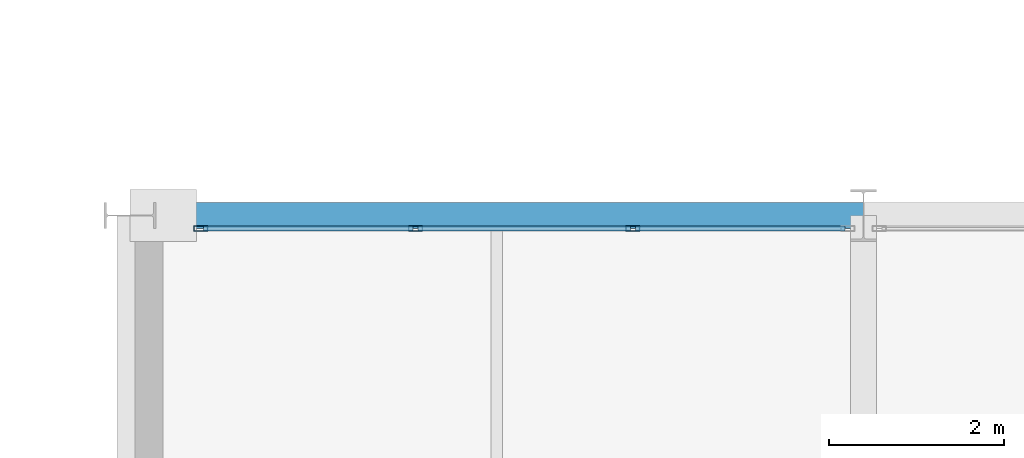
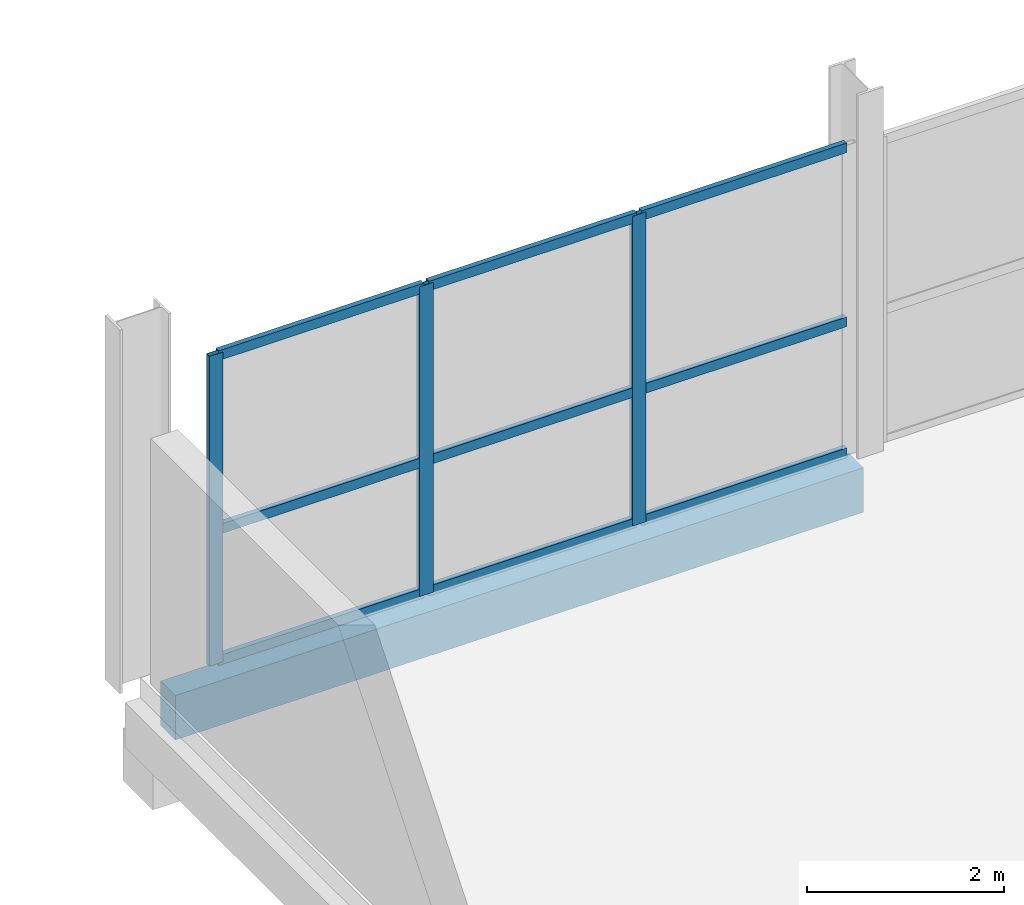
# One storey, part 43 of 109: 12 members, 1 beam, 1 element without a shape of its own.
"""IFC4 building model written with IfcOpenShell, lengths in metres."""

import ifcopenshell
import ifcopenshell.guid

model = None  # the IFC model being written
_history = None  # IfcOwnerHistory: only IFC2X3 demands one
_inside = {}  # id of a spatial element -> (the spatial element, [elements in it])
_under = {}  # id of a project, library or spatial element -> (it, [spatial elements below it])
_declared = {}  # id of a project -> (the project, [libraries it declares])
_typed = {}  # id of a type object -> (the type object, [elements of that type])
_made_of = {}  # id of a material, layer set ... -> (it, [elements and type objects made of it])


def new_model(schema):
    """Start an empty IFC model of exactly this schema.

    Asked for "IFC4X3", IfcOpenShell would pick the latest addendum, in which some entities
    have other attributes; the version numbers below select the first issue.
    IFC2X3 requires an IfcOwnerHistory on every rooted entity: one is made here for all.
    """
    global model, _history
    if schema == "IFC4X3":
        model = ifcopenshell.file(schema_version=(4, 3, 0, 0))
    else:
        model = ifcopenshell.file(schema=schema)
    _inside.clear()
    _under.clear()
    _declared.clear()
    _typed.clear()
    _made_of.clear()
    _history = None
    if model.schema == "IFC2X3":
        org = make("IfcOrganization", Name="unknown")
        user = make(
            "IfcPersonAndOrganization",
            ThePerson=make("IfcPerson", FamilyName="unknown"),
            TheOrganization=org,
        )
        app = make(
            "IfcApplication",
            ApplicationDeveloper=org,
            Version="unknown",
            ApplicationFullName="unknown",
            ApplicationIdentifier="unknown",
        )
        _history = make(
            "IfcOwnerHistory",
            OwningUser=user,
            OwningApplication=app,
            ChangeAction="ADDED",
            CreationDate=0,
        )
    return model


def make(cls, **values):
    """One entity of the class cls with the attributes given. An attribute that is None is left unset."""
    return model.create_entity(
        cls, **{name: value for name, value in values.items() if value is not None}
    )


def rooted(cls, **values):
    """An entity with a GlobalId (a new one), such as an element, a storey or a relation."""
    return make(cls, GlobalId=ifcopenshell.guid.new(), OwnerHistory=_history, **values)


def si_unit(unit_type, name, prefix=None):
    """IfcSIUnit, for example si_unit("LENGTHUNIT", "METRE", prefix="MILLI")."""
    return make("IfcSIUnit", UnitType=unit_type, Prefix=prefix, Name=name)


def assignment(units):
    """IfcUnitAssignment: the units of a project."""
    return None if units is None else make("IfcUnitAssignment", Units=units)


def point(xyz):
    """IfcCartesianPoint."""
    return None if xyz is None else make("IfcCartesianPoint", Coordinates=xyz)


def direction(xyz):
    """IfcDirection."""
    return None if xyz is None else make("IfcDirection", DirectionRatios=xyz)


def frame(location, z_axis=None, x_axis=None):
    """IfcAxis2Placement3D, a coordinate frame: its origin and axes. An axis left out is left unset."""
    return make(
        "IfcAxis2Placement3D",
        Location=point(location),
        Axis=direction(z_axis),
        RefDirection=direction(x_axis),
    )


def frame_2d(location, x_axis=None):
    """IfcAxis2Placement2D, a coordinate frame in the plane: its origin and x axis."""
    return make(
        "IfcAxis2Placement2D", Location=point(location), RefDirection=direction(x_axis)
    )


def origin():
    """The frame at (0, 0, 0) with its axes left unset."""
    return frame((0.0, 0.0, 0.0))


def origin_2d():
    """The frame at (0, 0) in the plane with its x axis left unset."""
    return frame_2d((0.0, 0.0))


def place(relative_to, where):
    """IfcLocalPlacement: puts the frame where relative to a parent placement (None: the world)."""
    return make(
        "IfcLocalPlacement", PlacementRelTo=relative_to, RelativePlacement=where
    )


def context(
    kind, dimensions, precision=None, world=None, true_north=None, identifier=None
):
    """IfcGeometricRepresentationContext, for example the 3D "Model" context."""
    return make(
        "IfcGeometricRepresentationContext",
        ContextIdentifier=identifier,
        ContextType=kind,
        CoordinateSpaceDimension=dimensions,
        Precision=precision,
        WorldCoordinateSystem=world,
        TrueNorth=true_north,
    )


def subcontext(parent, identifier, kind, view, scale=None):
    """IfcGeometricRepresentationSubContext, for example "Body" below "Model"."""
    return make(
        "IfcGeometricRepresentationSubContext",
        ContextIdentifier=identifier,
        ContextType=kind,
        ParentContext=parent,
        TargetScale=scale,
        TargetView=view,
    )


def project(units=None, contexts=None):
    """IfcProject with its units and contexts."""
    return rooted(
        "IfcProject",
        Name="project",
        RepresentationContexts=contexts,
        UnitsInContext=assignment(units),
    )


def spatial(cls, under=None, at=None, **own):
    """A site, building, storey or space (cls), placed at a placement, below another one or the project."""
    s = rooted(cls, ObjectPlacement=at, **own)
    if under is not None:
        _under.setdefault(under.id(), (under, []))[1].append(s)
    return s


def profile(cls, at=None, kind="AREA", **sizes):
    """A parametric profile (cls). Its sizes go by their IFC names, for example OverallWidth=200.0."""
    return make(cls, ProfileType=kind, Position=at, **sizes)


def rectangle(**sizes):
    """IfcRectangleProfileDef."""
    return profile("IfcRectangleProfileDef", **sizes)


def hollow_rectangle(**sizes):
    """IfcRectangleHollowProfileDef."""
    return profile("IfcRectangleHollowProfileDef", **sizes)


def extrude(swept, where, along, depth):
    """IfcExtrudedAreaSolid: the profile swept, set in the frame where, extruded along a direction by depth."""
    return make(
        "IfcExtrudedAreaSolid",
        SweptArea=swept,
        Position=where,
        ExtrudedDirection=direction(along),
        Depth=depth,
    )


def shape(context_of_items, identifier, shape_type, items):
    """IfcShapeRepresentation: the items that make up one representation, for example the "Body"."""
    return make(
        "IfcShapeRepresentation",
        ContextOfItems=context_of_items,
        RepresentationIdentifier=identifier,
        RepresentationType=shape_type,
        Items=items,
    )


def material(Name=None, Category=None):
    """IfcMaterial."""
    return make("IfcMaterial", Name=Name, Category=Category)


def material_profile(
    of_material, cross_section, Name=None, Category=None, Priority=None
):
    """IfcMaterialProfile: a cross section and its material."""
    return make(
        "IfcMaterialProfile",
        Name=Name,
        Material=of_material,
        Profile=cross_section,
        Priority=Priority,
        Category=Category,
    )


def profile_set(profiles, Name=None, composite=None):
    """IfcMaterialProfileSet."""
    return make(
        "IfcMaterialProfileSet",
        Name=Name,
        MaterialProfiles=profiles,
        CompositeProfile=composite,
    )


def made_of(thing, what):
    """Note that an element or type object is made of a material, layer set ...; save() writes the relation."""
    if what is not None:
        _made_of.setdefault(what.id(), (what, []))[1].append(thing)
    return thing


def type_object(cls, material=None, **own):
    """A type object (cls), such as IfcWallType, which elements share."""
    return made_of(rooted(cls, **own), material)


def element(
    cls,
    number,
    at=None,
    inside=None,
    cuts=None,
    type_object=None,
    material=None,
    context=None,
    identifier="Body",
    shape_type=None,
    held_by="IfcProductDefinitionShape",
    body=None,
    shapes=None,
    **own,
):
    """One element of the class cls, such as IfcWall. Its Tag is "e" and its number.

    at: its placement. inside: the storey or other place that contains it. cuts: it is an
    opening in that element (IfcRelVoidsElement). A single representation is given by context,
    identifier, shape_type and body (its items); several are given by shapes. held_by: the class
    of the entity that holds the representations. save() writes the other relations.
    """
    e = rooted(cls, Tag="e%d" % number, ObjectPlacement=at, **own)
    if body is not None:
        shapes = [shape(context, identifier, shape_type, body)]
    if shapes is not None:
        e.Representation = make(held_by, Representations=shapes)
    if inside is not None:
        _inside.setdefault(inside.id(), (inside, []))[1].append(e)
    if cuts is not None:
        rooted(
            "IfcRelVoidsElement", RelatingBuildingElement=cuts, RelatedOpeningElement=e
        )
    if type_object is not None:
        _typed.setdefault(type_object.id(), (type_object, []))[1].append(e)
    return made_of(e, material)


def aggregate(whole, parts):
    """IfcRelAggregates: a whole, such as a stair, and the parts it consists of."""
    return rooted("IfcRelAggregates", RelatingObject=whole, RelatedObjects=parts)


def save(model, path):
    """Write the relations noted so far, then the file.

    IfcRelAggregates (storeys below a building ...), IfcRelContainedInSpatialStructure (elements
    in a storey), IfcRelDefinesByType, IfcRelAssociatesMaterial and IfcRelDeclares: one each for
    every whole, place, type object, material and project.
    """
    for whole, parts in _under.values():
        aggregate(whole, parts)
    for where, things in _inside.values():
        rooted(
            "IfcRelContainedInSpatialStructure",
            RelatedElements=things,
            RelatingStructure=where,
        )
    for kind, things in _typed.values():
        rooted("IfcRelDefinesByType", RelatedObjects=things, RelatingType=kind)
    for what, things in _made_of.values():
        rooted("IfcRelAssociatesMaterial", RelatedObjects=things, RelatingMaterial=what)
    for by, libraries in _declared.values():
        rooted("IfcRelDeclares", RelatingContext=by, RelatedDefinitions=libraries)
    model.write(path)


model = new_model("IFC4")

# Units and contexts
model_context = context("Model", 3, precision=1e-05, world=origin(), true_north=direction((0.0, 1.0)))
body_context = subcontext(model_context, "Body", "Model", "MODEL_VIEW")
ifc_project = project(units=[si_unit("LENGTHUNIT", "METRE"), si_unit("AREAUNIT", "SQUARE_METRE"), si_unit("VOLUMEUNIT", "CUBIC_METRE"), si_unit("PLANEANGLEUNIT", "RADIAN"), si_unit("MASSUNIT", "GRAM", prefix="KILO")], contexts=[model_context])

# Site, building, storey
site_placement = place(None, origin())
site = spatial("IfcSite", under=ifc_project, at=site_placement, CompositionType="ELEMENT")
building_placement = place(site_placement, origin())
building = spatial("IfcBuilding", under=site, at=building_placement, Name="Veltarok Museum of Natural Sciences", CompositionType="ELEMENT")
storey_placement = place(building_placement, frame((0.0, 0.0, 17.39990234375)))
storey = spatial("IfcBuildingStorey", under=building, at=storey_placement, Name="L03", CompositionType="ELEMENT", Elevation=17.39990234375)

# Curtain wall, members
ifc_material_1 = material(Name="Low-iron triple insulated glass", Category="glass")
curtain_wall_type = type_object("IfcCurtainWallType", Name="Curtain Wall System CW-V5CN-L03-1-747x383 (CW-V5CN L03 747x383cm)", PredefinedType="NOTDEFINED", material=ifc_material_1)
curtain_wall_placement = place(storey_placement, origin())
curtain_wall = element("IfcCurtainWall", 1, at=curtain_wall_placement, inside=storey, type_object=curtain_wall_type, Name="Curtain Wall CW-V5CN-L03-1-747x383 CW-0193", PredefinedType="NOTDEFINED")
ifc_material_2 = material(Name="Thermally broken anodised aluminium", Category="aluminium")
ifc_material_profile_1 = material_profile(ifc_material_2, hollow_rectangle(XDim=0.06005859375, YDim=0.1201171875, WallThickness=0.0048828125, at=origin_2d()), Name="CW TRANSOM 60x120x5")
ifc_profile_set_1 = profile_set([ifc_material_profile_1], Name="Thermally broken anodised aluminium")
member_type_1 = type_object("IfcMemberType", Name="Curtain Wall Horizontal Transom 60x120x5", PredefinedType="USERDEFINED", material=ifc_profile_set_1)
member_1_placement = place(storey_placement, frame((115.389892578125, 26.25, 0.028076171875), z_axis=(-1.0, 0.0, 0.0), x_axis=(0.0, -1.0, 0.0)))
member_1 = element("IfcMember", 2, at=member_1_placement, type_object=member_type_1, Name="CW-V5CN-L03-1-747x383 transom 1.1", ObjectType="TRANSOM", PredefinedType="USERDEFINED", context=body_context, shape_type="SweptSolid", body=[
    extrude(hollow_rectangle(XDim=0.06005859375, YDim=0.1201171875, WallThickness=0.0048828125, at=origin_2d()), origin(), (0.0, 0.0, 1.0), 2.39990234375),
])
member_2_placement = place(storey_placement, frame((115.389892578125, 26.25, 1.648193359375), z_axis=(-1.0, 0.0, 0.0), x_axis=(0.0, -1.0, 0.0)))
member_2 = element("IfcMember", 3, at=member_2_placement, type_object=member_type_1, Name="CW-V5CN-L03-1-747x383 transom 1.2", ObjectType="TRANSOM", PredefinedType="USERDEFINED", context=body_context, shape_type="SweptSolid", body=[
    extrude(hollow_rectangle(XDim=0.06005859375, YDim=0.1201171875, WallThickness=0.0048828125, at=origin_2d()), origin(), (0.0, 0.0, 1.0), 2.39990234375),
])
member_3_placement = place(storey_placement, frame((115.389892578125, 26.25, 3.800048828125), z_axis=(-1.0, 0.0, 0.0), x_axis=(0.0, -1.0, 0.0)))
member_3 = element("IfcMember", 4, at=member_3_placement, type_object=member_type_1, Name="CW-V5CN-L03-1-747x383 transom 1.3", ObjectType="TRANSOM", PredefinedType="USERDEFINED", context=body_context, shape_type="SweptSolid", body=[
    extrude(hollow_rectangle(XDim=0.06005859375, YDim=0.1201171875, WallThickness=0.0048828125, at=origin_2d()), origin(), (0.0, 0.0, 1.0), 2.39990234375),
])
member_4_placement = place(storey_placement, frame((112.929931640625, 26.25, 0.028076171875), z_axis=(-1.0, 0.0, 0.0), x_axis=(0.0, -1.0, 0.0)))
member_4 = element("IfcMember", 5, at=member_4_placement, type_object=member_type_1, Name="CW-V5CN-L03-1-747x383 transom 2.1", ObjectType="TRANSOM", PredefinedType="USERDEFINED", context=body_context, shape_type="SweptSolid", body=[
    extrude(hollow_rectangle(XDim=0.06005859375, YDim=0.1201171875, WallThickness=0.0048828125, at=origin_2d()), origin(), (0.0, 0.0, 1.0), 2.429931640625),
])
member_5_placement = place(storey_placement, frame((112.929931640625, 26.25, 1.648193359375), z_axis=(-1.0, 0.0, 0.0), x_axis=(0.0, -1.0, 0.0)))
member_5 = element("IfcMember", 6, at=member_5_placement, type_object=member_type_1, Name="CW-V5CN-L03-1-747x383 transom 2.2", ObjectType="TRANSOM", PredefinedType="USERDEFINED", context=body_context, shape_type="SweptSolid", body=[
    extrude(hollow_rectangle(XDim=0.06005859375, YDim=0.1201171875, WallThickness=0.0048828125, at=origin_2d()), origin(), (0.0, 0.0, 1.0), 2.429931640625),
])
member_6_placement = place(storey_placement, frame((112.929931640625, 26.25, 3.800048828125), z_axis=(-1.0, 0.0, 0.0), x_axis=(0.0, -1.0, 0.0)))
member_6 = element("IfcMember", 7, at=member_6_placement, type_object=member_type_1, Name="CW-V5CN-L03-1-747x383 transom 2.3", ObjectType="TRANSOM", PredefinedType="USERDEFINED", context=body_context, shape_type="SweptSolid", body=[
    extrude(hollow_rectangle(XDim=0.06005859375, YDim=0.1201171875, WallThickness=0.0048828125, at=origin_2d()), origin(), (0.0, 0.0, 1.0), 2.429931640625),
])
member_7_placement = place(storey_placement, frame((110.43994140625, 26.25, 0.028076171875), z_axis=(-1.0, 0.0, 0.0), x_axis=(0.0, -1.0, 0.0)))
member_7 = element("IfcMember", 8, at=member_7_placement, type_object=member_type_1, Name="CW-V5CN-L03-1-747x383 transom 3.1", ObjectType="TRANSOM", PredefinedType="USERDEFINED", context=body_context, shape_type="SweptSolid", body=[
    extrude(hollow_rectangle(XDim=0.06005859375, YDim=0.1201171875, WallThickness=0.0048828125, at=origin_2d()), origin(), (0.0, 0.0, 1.0), 2.39990234375),
])
member_8_placement = place(storey_placement, frame((110.43994140625, 26.25, 1.648193359375), z_axis=(-1.0, 0.0, 0.0), x_axis=(0.0, -1.0, 0.0)))
member_8 = element("IfcMember", 9, at=member_8_placement, type_object=member_type_1, Name="CW-V5CN-L03-1-747x383 transom 3.2", ObjectType="TRANSOM", PredefinedType="USERDEFINED", context=body_context, shape_type="SweptSolid", body=[
    extrude(hollow_rectangle(XDim=0.06005859375, YDim=0.1201171875, WallThickness=0.0048828125, at=origin_2d()), origin(), (0.0, 0.0, 1.0), 2.39990234375),
])
member_9_placement = place(storey_placement, frame((110.43994140625, 26.25, 3.800048828125), z_axis=(-1.0, 0.0, 0.0), x_axis=(0.0, -1.0, 0.0)))
member_9 = element("IfcMember", 10, at=member_9_placement, type_object=member_type_1, Name="CW-V5CN-L03-1-747x383 transom 3.3", ObjectType="TRANSOM", PredefinedType="USERDEFINED", context=body_context, shape_type="SweptSolid", body=[
    extrude(hollow_rectangle(XDim=0.06005859375, YDim=0.1201171875, WallThickness=0.0048828125, at=origin_2d()), origin(), (0.0, 0.0, 1.0), 2.39990234375),
])
ifc_material_profile_2 = material_profile(ifc_material_2, hollow_rectangle(XDim=0.06005859375, YDim=0.159912109375, WallThickness=0.0048828125, at=origin_2d()), Name="CW MULLION 60x160x5")
ifc_profile_set_2 = profile_set([ifc_material_profile_2], Name="Thermally broken anodised aluminium")
member_type_2 = type_object("IfcMemberType", Name="Curtain Wall Vertical Mullion 60x160x5", PredefinedType="MULLION", material=ifc_profile_set_2)
member_10_placement = place(storey_placement, frame((112.9599609375, 26.25, -0.001953125), z_axis=(0.0, 0.0, 1.0), x_axis=(0.0, -1.0, 0.0)))
member_10 = element("IfcMember", 11, at=member_10_placement, type_object=member_type_2, Name="CW-V5CN-L03-1-747x383 mullion 2", PredefinedType="MULLION", context=body_context, shape_type="SweptSolid", body=[
    extrude(hollow_rectangle(XDim=0.06005859375, YDim=0.159912109375, WallThickness=0.0048828125, at=origin_2d()), origin(), (0.0, 0.0, 1.0), 3.83203125),
])
member_11_placement = place(storey_placement, frame((110.469970703125, 26.25, -0.001953125), z_axis=(0.0, 0.0, 1.0), x_axis=(0.0, -1.0, 0.0)))
member_11 = element("IfcMember", 12, at=member_11_placement, type_object=member_type_2, Name="CW-V5CN-L03-1-747x383 mullion 3", PredefinedType="MULLION", context=body_context, shape_type="SweptSolid", body=[
    extrude(hollow_rectangle(XDim=0.06005859375, YDim=0.159912109375, WallThickness=0.0048828125, at=origin_2d()), origin(), (0.0, 0.0, 1.0), 3.83203125),
])
member_12_placement = place(storey_placement, frame((108.010009765625, 26.25, -0.001953125), z_axis=(0.0, 0.0, 1.0), x_axis=(0.0, -1.0, 0.0)))
member_12 = element("IfcMember", 13, at=member_12_placement, type_object=member_type_2, Name="CW-V5CN-L03-1-747x383 mullion 4", PredefinedType="MULLION", context=body_context, shape_type="SweptSolid", body=[
    extrude(hollow_rectangle(XDim=0.06005859375, YDim=0.159912109375, WallThickness=0.0048828125, at=origin_2d()), origin(), (0.0, 0.0, 1.0), 3.83203125),
])
aggregate(curtain_wall, [member_10, member_11, member_12, member_1, member_2, member_3, member_4, member_5, member_6, member_7, member_8, member_9])

# Beam
ifc_material_3 = material(Name="Precast concrete C40/50", Category="concrete")
ifc_material_profile_3 = material_profile(ifc_material_3, rectangle(XDim=0.300048828125, YDim=0.550048828125, at=origin_2d()), Name="RC 300x550")
ifc_profile_set_3 = profile_set([ifc_material_profile_3], Name="Precast concrete C40/50")
beam_type = type_object("IfcBeamType", Name="East Wing Precast Spandrel RC 300x550", PredefinedType="SPANDREL", material=ifc_profile_set_3)
beam_placement = place(storey_placement, frame((107.550048828125, 26.39990234375, -0.52490234375), z_axis=(1.0, 0.0, 0.0), x_axis=(0.0, 1.0, 0.0)))
element("IfcBeam", 14, at=beam_placement, inside=storey, type_object=beam_type, Name="Beam BM-SP02 L03 13-14/D", PredefinedType="SPANDREL", context=body_context, shape_type="SweptSolid", body=[
    extrude(rectangle(XDim=0.300048828125, YDim=0.550048828125, at=origin_2d()), origin(), (0.0, 0.0, 1.0), 8.050048828125),
])

save(model, "model.ifc")
